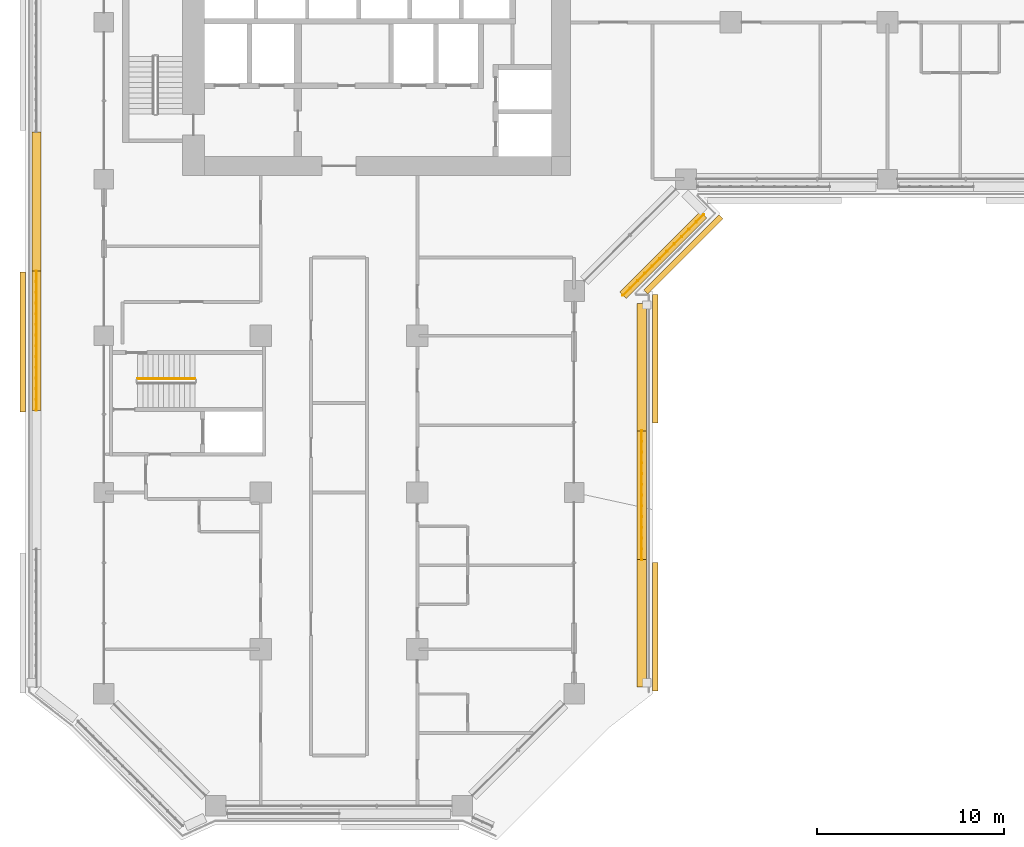
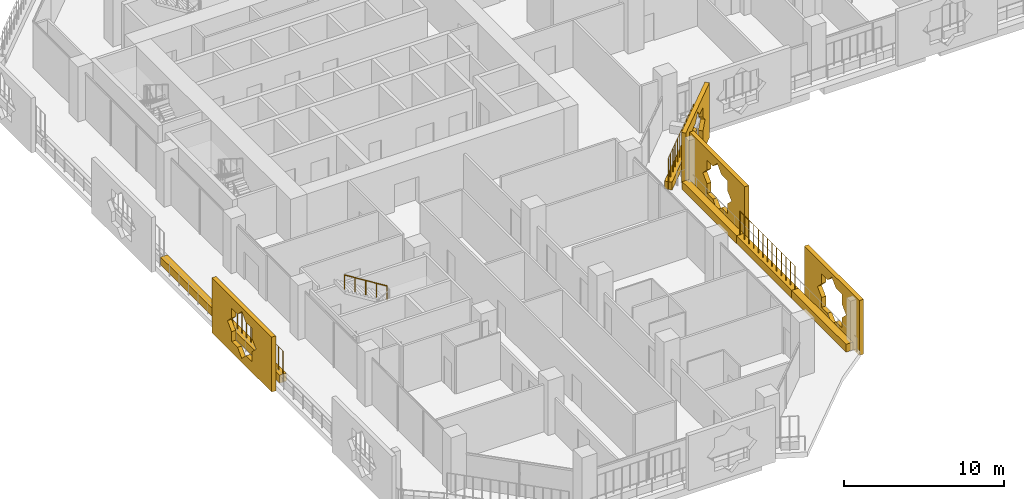
# One storey, part 20 of 25: 10 coverings, 4 railings.
"""IFC4 building model written with IfcOpenShell, lengths in metres."""

from ifc_helpers import new_model, si_unit, direction, frame, origin, origin_2d, place, context, subcontext, project, spatial, polyline, rectangle, circle, outline, extrude, material, material_profile, profile_set, type_object, element, save


model = new_model("IFC4")

# Units and contexts
model_context = context("Model", 3, precision=1e-05, world=origin(), true_north=direction((0.0, 1.0)))
body_context = subcontext(model_context, "Body", "Model", "MODEL_VIEW")
ifc_project = project(units=[si_unit("LENGTHUNIT", "METRE"), si_unit("AREAUNIT", "SQUARE_METRE"), si_unit("VOLUMEUNIT", "CUBIC_METRE"), si_unit("PLANEANGLEUNIT", "RADIAN"), si_unit("MASSUNIT", "GRAM", prefix="KILO")], contexts=[model_context])

# Site, building, storey
site_placement = place(None, origin())
site = spatial("IfcSite", under=ifc_project, at=site_placement, CompositionType="ELEMENT")
building_placement = place(site_placement, origin())
building = spatial("IfcBuilding", under=site, at=building_placement, Name="Kawkab Arch Medical Tower", CompositionType="ELEMENT")
storey_placement = place(building_placement, frame((0.0, 0.0, 145.0)))
storey = spatial("IfcBuildingStorey", under=building, at=storey_placement, Name="L33", CompositionType="ELEMENT", Elevation=145.0)

# Coverings
ifc_material_1 = material(Name="Bronze anodised aluminium mashrabiya panel, eight-point star pattern", Category="aluminium")
ifc_material_profile_1 = material_profile(ifc_material_1, outline(polyline([(-2.85009765625, -2.10009765625), (2.85009765625, -2.10009765625), (2.85009765625, 2.10009765625), (-2.85009765625, 2.10009765625), (-2.85009765625, -2.10009765625)]), holes=[polyline([(1.800048828125, 0.0), (1.272705078125, 0.527099609375), (1.272705078125, 1.272705078125), (0.527099609375, 1.272705078125), (0.0, 1.800048828125), (-0.527099609375, 1.272705078125), (-1.272705078125, 1.272705078125), (-1.272705078125, 0.527099609375), (-1.800048828125, 0.0), (-1.272705078125, -0.527099609375), (-1.272705078125, -1.272705078125), (-0.527099609375, -1.272705078125), (0.0, -1.800048828125), (0.527099609375, -1.272705078125), (1.272705078125, -1.272705078125), (1.272705078125, -0.527099609375), (1.800048828125, 0.0)])]), Name="Mashrabiya panel 5700x4200")
ifc_profile_set_1 = profile_set([ifc_material_profile_1], Name="Bronze anodised aluminium mashrabiya panel, eight-point star pattern")
covering_type_1 = type_object("IfcCoveringType", Name="Mashrabiya panel 5700 x 4200", PredefinedType="USERDEFINED", material=ifc_profile_set_1)
covering_1_placement = place(storey_placement, frame((30.94775390625, -29.128662109375, 1.699951171875), z_axis=(0.707106781187, -0.707106781187, 0.0), x_axis=(0.707106781187, 0.707106781187, 0.0)))
element("IfcCovering", 1, at=covering_1_placement, inside=storey, type_object=covering_type_1, Name="Mashrabiya panel L33.LOG-01-01.14", ObjectType="SCREEN", PredefinedType="USERDEFINED", context=body_context, shape_type="SweptSolid", body=[
    extrude(outline(polyline([(-2.85009765625, -2.10009765625), (2.85009765625, -2.10009765625), (2.85009765625, 2.10009765625), (-2.85009765625, 2.10009765625), (-2.85009765625, -2.10009765625)]), holes=[polyline([(1.800048828125, 0.0), (1.272705078125, 0.527099609375), (1.272705078125, 1.272705078125), (0.527099609375, 1.272705078125), (0.0, 1.800048828125), (-0.527099609375, 1.272705078125), (-1.272705078125, 1.272705078125), (-1.272705078125, 0.527099609375), (-1.800048828125, 0.0), (-1.272705078125, -0.527099609375), (-1.272705078125, -1.272705078125), (-0.527099609375, -1.272705078125), (0.0, -1.800048828125), (0.527099609375, -1.272705078125), (1.272705078125, -1.272705078125), (1.272705078125, -0.527099609375), (1.800048828125, 0.0)])]), origin(), (0.0, 0.0, 1.0), 0.300048828125),
])
ifc_material_2 = material(Name="Bronze anodised aluminium mashrabiya panel, eight-point star pattern", Category="aluminium")
ifc_material_profile_2 = material_profile(ifc_material_2, outline(polyline([(-3.449951171875, -2.10009765625), (3.449951171875, -2.10009765625), (3.449951171875, 2.10009765625), (-3.449951171875, 2.10009765625), (-3.449951171875, -2.10009765625)]), holes=[polyline([(1.800048828125, 0.0), (1.272705078125, 0.527099609375), (1.272705078125, 1.272705078125), (0.527099609375, 1.272705078125), (0.0, 1.800048828125), (-0.527099609375, 1.272705078125), (-1.272705078125, 1.272705078125), (-1.272705078125, 0.527099609375), (-1.800048828125, 0.0), (-1.272705078125, -0.527099609375), (-1.272705078125, -1.272705078125), (-0.527099609375, -1.272705078125), (0.0, -1.800048828125), (0.527099609375, -1.272705078125), (1.272705078125, -1.272705078125), (1.272705078125, -0.527099609375), (1.800048828125, 0.0)])]), Name="Mashrabiya panel 6900x4200")
ifc_profile_set_2 = profile_set([ifc_material_profile_2], Name="Bronze anodised aluminium mashrabiya panel, eight-point star pattern")
covering_type_2 = type_object("IfcCoveringType", Name="Mashrabiya panel 6900 x 4200", PredefinedType="USERDEFINED", material=ifc_profile_set_2)
for number, where, z_axis, x_axis, name in (
    (2, (29.39990234375, -34.827392578125, 1.699951171875), (1.0, 0.0, 0.0), (0.0, 1.0, 0.0), "Mashrabiya panel L33.LOG-01-01.15"),
    (3, (29.39990234375, -49.197509765625, 1.699951171875), (1.0, 0.0, 0.0), (0.0, 1.0, 0.0), "Mashrabiya panel L33.LOG-01-01.16"),
):
    element("IfcCovering", number, at=place(storey_placement, frame(where, z_axis=z_axis, x_axis=x_axis)), inside=storey, type_object=covering_type_2, Name=name, ObjectType="SCREEN", PredefinedType="USERDEFINED", context=body_context, shape_type="SweptSolid", body=[
        extrude(outline(polyline([(-3.449951171875, -2.10009765625), (3.449951171875, -2.10009765625), (3.449951171875, 2.10009765625), (-3.449951171875, 2.10009765625), (-3.449951171875, -2.10009765625)]), holes=[polyline([(1.800048828125, 0.0), (1.272705078125, 0.527099609375), (1.272705078125, 1.272705078125), (0.527099609375, 1.272705078125), (0.0, 1.800048828125), (-0.527099609375, 1.272705078125), (-1.272705078125, 1.272705078125), (-1.272705078125, 0.527099609375), (-1.800048828125, 0.0), (-1.272705078125, -0.527099609375), (-1.272705078125, -1.272705078125), (-0.527099609375, -1.272705078125), (0.0, -1.800048828125), (0.527099609375, -1.272705078125), (1.272705078125, -1.272705078125), (1.272705078125, -0.527099609375), (1.800048828125, 0.0)])]), origin(), (0.0, 0.0, 1.0), 0.300048828125),
    ])
ifc_material_3 = material(Name="Bronze anodised aluminium mashrabiya panel, eight-point star pattern", Category="aluminium")
ifc_material_profile_3 = material_profile(ifc_material_3, outline(polyline([(-3.75, -2.10009765625), (3.75, -2.10009765625), (3.75, 2.10009765625), (-3.75, 2.10009765625), (-3.75, -2.10009765625)]), holes=[polyline([(1.800048828125, 0.0), (1.272705078125, 0.527099609375), (1.272705078125, 1.272705078125), (0.527099609375, 1.272705078125), (0.0, 1.800048828125), (-0.527099609375, 1.272705078125), (-1.272705078125, 1.272705078125), (-1.272705078125, 0.527099609375), (-1.800048828125, 0.0), (-1.272705078125, -0.527099609375), (-1.272705078125, -1.272705078125), (-0.527099609375, -1.272705078125), (0.0, -1.800048828125), (0.527099609375, -1.272705078125), (1.272705078125, -1.272705078125), (1.272705078125, -0.527099609375), (1.800048828125, 0.0)])]), Name="Mashrabiya panel 7500x4200")
ifc_profile_set_3 = profile_set([ifc_material_profile_3], Name="Bronze anodised aluminium mashrabiya panel, eight-point star pattern")
covering_type_3 = type_object("IfcCoveringType", Name="Mashrabiya panel 7500 x 4200", PredefinedType="USERDEFINED", material=ifc_profile_set_3)
covering_2_placement = place(storey_placement, frame((-4.199951171875, -33.94140625, 1.699951171875), z_axis=(-1.0, 0.0, 0.0), x_axis=(0.0, -1.0, 0.0)))
element("IfcCovering", 4, at=covering_2_placement, inside=storey, type_object=covering_type_3, Name="Mashrabiya panel L33.LOG-01-01.3", ObjectType="SCREEN", PredefinedType="USERDEFINED", context=body_context, shape_type="SweptSolid", body=[
    extrude(outline(polyline([(-3.75, -2.10009765625), (3.75, -2.10009765625), (3.75, 2.10009765625), (-3.75, 2.10009765625), (-3.75, -2.10009765625)]), holes=[polyline([(1.800048828125, 0.0), (1.272705078125, 0.527099609375), (1.272705078125, 1.272705078125), (0.527099609375, 1.272705078125), (0.0, 1.800048828125), (-0.527099609375, 1.272705078125), (-1.272705078125, 1.272705078125), (-1.272705078125, 0.527099609375), (-1.800048828125, 0.0), (-1.272705078125, -0.527099609375), (-1.272705078125, -1.272705078125), (-0.527099609375, -1.272705078125), (0.0, -1.800048828125), (0.527099609375, -1.272705078125), (1.272705078125, -1.272705078125), (1.272705078125, -0.527099609375), (1.800048828125, 0.0)])]), origin(), (0.0, 0.0, 1.0), 0.300048828125),
])
ifc_material_4 = material(Name="Planting soil in a precast trough", Category="concrete")
ifc_material_profile_4 = material_profile(ifc_material_4, rectangle(XDim=0.5, YDim=0.60009765625, at=origin_2d()), Name="Trough 500x600")
ifc_profile_set_4 = profile_set([ifc_material_profile_4], Name="Planting soil in a precast trough")
covering_type_4 = type_object("IfcCoveringType", Name="Planter trough 500 x 600", PredefinedType="USERDEFINED", material=ifc_profile_set_4)
covering_3_placement = place(storey_placement, frame((-3.6201171875, -37.593017578125, 0.300048828125), z_axis=(0.0, 1.0, 0.0), x_axis=(-1.0, 0.0, 0.0)))
element("IfcCovering", 5, at=covering_3_placement, inside=storey, type_object=covering_type_4, Name="Planter L33.LOG-01-01.9", ObjectType="PLANTER", PredefinedType="USERDEFINED", context=body_context, shape_type="SweptSolid", body=[
    extrude(rectangle(XDim=0.5, YDim=0.60009765625, at=origin_2d()), origin(), (0.0, 0.0, 1.0), 7.4619140625),
])
covering_4_placement = place(storey_placement, frame((-3.6201171875, -30.131103515625, 0.300048828125), z_axis=(0.0, 1.0, 0.0), x_axis=(-1.0, 0.0, 0.0)))
element("IfcCovering", 6, at=covering_4_placement, inside=storey, type_object=covering_type_4, Name="Planter L33.LOG-01-01.10", ObjectType="PLANTER", PredefinedType="USERDEFINED", context=body_context, shape_type="SweptSolid", body=[
    extrude(rectangle(XDim=0.5, YDim=0.60009765625, at=origin_2d()), origin(), (0.0, 0.0, 1.0), 7.462158203125),
])
covering_5_placement = place(storey_placement, frame((32.14697265625, -27.10888671875, 0.300048828125), z_axis=(-0.707007043994, -0.707206504313, 0.0), x_axis=(0.707206504313, -0.707007043994, 0.0)))
element("IfcCovering", 7, at=covering_5_placement, inside=storey, type_object=covering_type_4, Name="Planter L33.LOG-01-01.43", ObjectType="PLANTER", PredefinedType="USERDEFINED", context=body_context, shape_type="SweptSolid", body=[
    extrude(rectangle(XDim=0.5, YDim=0.60009765625, at=origin_2d()), origin(), (0.0, 0.0, 1.0), 6.1201171875),
])
covering_6_placement = place(storey_placement, frame((28.820068359375, -31.8798828125, 0.300048828125), z_axis=(0.0, -1.0, 0.0), x_axis=(1.0, 0.0, 0.0)))
element("IfcCovering", 8, at=covering_6_placement, inside=storey, type_object=covering_type_4, Name="Planter L33.LOG-01-01.44", ObjectType="PLANTER", PredefinedType="USERDEFINED", context=body_context, shape_type="SweptSolid", body=[
    extrude(rectangle(XDim=0.5, YDim=0.60009765625, at=origin_2d()), origin(), (0.0, 0.0, 1.0), 6.81201171875),
])
covering_7_placement = place(storey_placement, frame((28.820068359375, -38.69189453125, 0.300048828125), z_axis=(0.0, -1.0, 0.0), x_axis=(1.0, 0.0, 0.0)))
element("IfcCovering", 9, at=covering_7_placement, inside=storey, type_object=covering_type_4, Name="Planter L33.LOG-01-01.45", ObjectType="PLANTER", PredefinedType="USERDEFINED", context=body_context, shape_type="SweptSolid", body=[
    extrude(rectangle(XDim=0.5, YDim=0.60009765625, at=origin_2d()), origin(), (0.0, 0.0, 1.0), 6.912109375),
])
covering_8_placement = place(storey_placement, frame((28.820068359375, -45.60400390625, 0.300048828125), z_axis=(0.0, -1.0, 0.0), x_axis=(1.0, 0.0, 0.0)))
element("IfcCovering", 10, at=covering_8_placement, inside=storey, type_object=covering_type_4, Name="Planter L33.LOG-01-01.46", ObjectType="PLANTER", PredefinedType="USERDEFINED", context=body_context, shape_type="SweptSolid", body=[
    extrude(rectangle(XDim=0.5, YDim=0.60009765625, at=origin_2d()), origin(), (0.0, 0.0, 1.0), 6.81201171875),
])

# Railings
ifc_material_5 = material(Name="Bronze anodised aluminium trellis for climbing plants", Category="aluminium")
railing_type_1 = type_object("IfcRailingType", Name="Planting trellis 2400", PredefinedType="USERDEFINED", material=ifc_material_5)
railing_1_placement = place(storey_placement, frame((-3.6201171875, -37.593017578125, 0.0)))
element("IfcRailing", 11, at=railing_1_placement, inside=storey, type_object=railing_type_1, Name="Planting trellis L33.LOG-01-01.9", ObjectType="TRELLIS", PredefinedType="USERDEFINED", context=body_context, shape_type="SweptSolid", body=[
    extrude(circle(Radius=0.01513671875, at=origin_2d()), frame((0.0, 0.0, 2.384765625), z_axis=(0.0, 1.0, 0.0), x_axis=(-1.0, 0.0, 0.0)), (0.0, 0.0, 1.0), 7.4619140625),
    extrude(circle(Radius=0.030029296875, at=origin_2d()), origin(), (0.0, 0.0, 1.0), 2.369873046875),
    extrude(circle(Radius=0.030029296875, at=origin_2d()), frame((0.0, 0.573974609375, 0.0)), (0.0, 0.0, 1.0), 2.369873046875),
    extrude(circle(Radius=0.030029296875, at=origin_2d()), frame((0.0, 1.14794921875, 0.0)), (0.0, 0.0, 1.0), 2.369873046875),
    extrude(circle(Radius=0.030029296875, at=origin_2d()), frame((0.0, 1.721923828125, 0.0)), (0.0, 0.0, 1.0), 2.369873046875),
    extrude(circle(Radius=0.030029296875, at=origin_2d()), frame((0.0, 2.2958984375, 0.0)), (0.0, 0.0, 1.0), 2.369873046875),
    extrude(circle(Radius=0.030029296875, at=origin_2d()), frame((0.0, 2.869873046875, 0.0)), (0.0, 0.0, 1.0), 2.369873046875),
    extrude(circle(Radius=0.030029296875, at=origin_2d()), frame((0.0, 3.44384765625, 0.0)), (0.0, 0.0, 1.0), 2.369873046875),
    extrude(circle(Radius=0.030029296875, at=origin_2d()), frame((0.0, 4.01806640625, 0.0)), (0.0, 0.0, 1.0), 2.369873046875),
    extrude(circle(Radius=0.030029296875, at=origin_2d()), frame((0.0, 4.592041015625, 0.0)), (0.0, 0.0, 1.0), 2.369873046875),
    extrude(circle(Radius=0.030029296875, at=origin_2d()), frame((0.0, 5.166015625, 0.0)), (0.0, 0.0, 1.0), 2.369873046875),
    extrude(circle(Radius=0.030029296875, at=origin_2d()), frame((0.0, 5.739990234375, 0.0)), (0.0, 0.0, 1.0), 2.369873046875),
    extrude(circle(Radius=0.030029296875, at=origin_2d()), frame((0.0, 6.31396484375, 0.0)), (0.0, 0.0, 1.0), 2.369873046875),
    extrude(circle(Radius=0.030029296875, at=origin_2d()), frame((0.0, 6.887939453125, 0.0)), (0.0, 0.0, 1.0), 2.369873046875),
    extrude(circle(Radius=0.030029296875, at=origin_2d()), frame((0.0, 7.4619140625, 0.0)), (0.0, 0.0, 1.0), 2.369873046875),
])
railing_2_placement = place(storey_placement, frame((32.14697265625, -27.10888671875, 0.0)))
element("IfcRailing", 12, at=railing_2_placement, inside=storey, type_object=railing_type_1, Name="Planting trellis L33.LOG-01-01.43", ObjectType="TRELLIS", PredefinedType="USERDEFINED", context=body_context, shape_type="SweptSolid", body=[
    extrude(circle(Radius=0.01513671875, at=origin_2d()), frame((0.0, 0.0, 2.384765625), z_axis=(-0.707007043994, -0.707206504313, 0.0), x_axis=(0.707206504313, -0.707007043994, 0.0)), (0.0, 0.0, 1.0), 6.1201171875),
    extrude(circle(Radius=0.030029296875, at=origin_2d()), origin(), (0.0, 0.0, 1.0), 2.369873046875),
    extrude(circle(Radius=0.030029296875, at=origin_2d()), frame((-0.393310546875, -0.3935546875, 0.0)), (0.0, 0.0, 1.0), 2.369873046875),
    extrude(circle(Radius=0.030029296875, at=origin_2d()), frame((-0.78662109375, -0.786865234375, 0.0)), (0.0, 0.0, 1.0), 2.369873046875),
    extrude(circle(Radius=0.030029296875, at=origin_2d()), frame((-1.18017578125, -1.180419921875, 0.0)), (0.0, 0.0, 1.0), 2.369873046875),
    extrude(circle(Radius=0.030029296875, at=origin_2d()), frame((-1.573486328125, -1.573974609375, 0.0)), (0.0, 0.0, 1.0), 2.369873046875),
    extrude(circle(Radius=0.030029296875, at=origin_2d()), frame((-1.966796875, -1.96728515625, 0.0)), (0.0, 0.0, 1.0), 2.369873046875),
    extrude(circle(Radius=0.030029296875, at=origin_2d()), frame((-2.360107421875, -2.36083984375, 0.0)), (0.0, 0.0, 1.0), 2.369873046875),
    extrude(circle(Radius=0.030029296875, at=origin_2d()), frame((-2.75341796875, -2.754150390625, 0.0)), (0.0, 0.0, 1.0), 2.369873046875),
    extrude(circle(Radius=0.030029296875, at=origin_2d()), frame((-3.146728515625, -3.147705078125, 0.0)), (0.0, 0.0, 1.0), 2.369873046875),
    extrude(circle(Radius=0.030029296875, at=origin_2d()), frame((-3.540283203125, -3.541259765625, 0.0)), (0.0, 0.0, 1.0), 2.369873046875),
    extrude(circle(Radius=0.030029296875, at=origin_2d()), frame((-3.93359375, -3.9345703125, 0.0)), (0.0, 0.0, 1.0), 2.369873046875),
    extrude(circle(Radius=0.030029296875, at=origin_2d()), frame((-4.326904296875, -4.328125, 0.0)), (0.0, 0.0, 1.0), 2.369873046875),
])
railing_3_placement = place(storey_placement, frame((28.820068359375, -38.69189453125, 0.0)))
element("IfcRailing", 13, at=railing_3_placement, inside=storey, type_object=railing_type_1, Name="Planting trellis L33.LOG-01-01.45", ObjectType="TRELLIS", PredefinedType="USERDEFINED", context=body_context, shape_type="SweptSolid", body=[
    extrude(circle(Radius=0.01513671875, at=origin_2d()), frame((0.0, 0.0, 2.384765625), z_axis=(0.0, -1.0, 0.0), x_axis=(1.0, 0.0, 0.0)), (0.0, 0.0, 1.0), 6.912109375),
    extrude(circle(Radius=0.030029296875, at=origin_2d()), origin(), (0.0, 0.0, 1.0), 2.369873046875),
    extrude(circle(Radius=0.030029296875, at=origin_2d()), frame((0.0, -0.575927734375, 0.0)), (0.0, 0.0, 1.0), 2.369873046875),
    extrude(circle(Radius=0.030029296875, at=origin_2d()), frame((0.0, -1.152099609375, 0.0)), (0.0, 0.0, 1.0), 2.369873046875),
    extrude(circle(Radius=0.030029296875, at=origin_2d()), frame((0.0, -1.72802734375, 0.0)), (0.0, 0.0, 1.0), 2.369873046875),
    extrude(circle(Radius=0.030029296875, at=origin_2d()), frame((0.0, -2.303955078125, 0.0)), (0.0, 0.0, 1.0), 2.369873046875),
    extrude(circle(Radius=0.030029296875, at=origin_2d()), frame((0.0, -2.880126953125, 0.0)), (0.0, 0.0, 1.0), 2.369873046875),
    extrude(circle(Radius=0.030029296875, at=origin_2d()), frame((0.0, -3.4560546875, 0.0)), (0.0, 0.0, 1.0), 2.369873046875),
    extrude(circle(Radius=0.030029296875, at=origin_2d()), frame((0.0, -4.031982421875, 0.0)), (0.0, 0.0, 1.0), 2.369873046875),
    extrude(circle(Radius=0.030029296875, at=origin_2d()), frame((0.0, -4.608154296875, 0.0)), (0.0, 0.0, 1.0), 2.369873046875),
    extrude(circle(Radius=0.030029296875, at=origin_2d()), frame((0.0, -5.18408203125, 0.0)), (0.0, 0.0, 1.0), 2.369873046875),
    extrude(circle(Radius=0.030029296875, at=origin_2d()), frame((0.0, -5.760009765625, 0.0)), (0.0, 0.0, 1.0), 2.369873046875),
    extrude(circle(Radius=0.030029296875, at=origin_2d()), frame((0.0, -6.336181640625, 0.0)), (0.0, 0.0, 1.0), 2.369873046875),
    extrude(circle(Radius=0.030029296875, at=origin_2d()), frame((0.0, -6.912109375, 0.0)), (0.0, 0.0, 1.0), 2.369873046875),
])
ifc_material_6 = material(Name="Stainless steel", Category="steel")
railing_type_2 = type_object("IfcRailingType", Name="Stair guard 1100", PredefinedType="GUARDRAIL", material=ifc_material_6)
railing_4_placement = place(storey_placement, frame((4.8798828125, -35.89990234375, 2.27490234375)))
element("IfcRailing", 14, at=railing_4_placement, inside=storey, type_object=railing_type_2, Name="L33 ST6 stair guard 3", PredefinedType="GUARDRAIL", context=body_context, shape_type="SweptSolid", body=[
    extrude(circle(Radius=0.02392578125, at=origin_2d()), frame((0.0, 0.0, 1.076171875), z_axis=(-0.847979421464, 0.0, 0.530029150871), x_axis=(0.0, -1.0, 0.0)), (0.0, 0.0, 1.0), 3.632080078125),
    extrude(circle(Radius=0.02099609375, at=origin_2d()), origin(), (0.0, 0.0, 1.0), 1.052001953125),
    extrude(circle(Radius=0.02099609375, at=origin_2d()), frame((-0.77001953125, 0.0, 0.481201171875)), (0.0, 0.0, 1.0), 1.052001953125),
    extrude(circle(Radius=0.02099609375, at=origin_2d()), frame((-1.5400390625, 0.0, 0.96240234375)), (0.0, 0.0, 1.0), 1.052001953125),
    extrude(circle(Radius=0.02099609375, at=origin_2d()), frame((-2.309814453125, 0.0, 1.44384765625)), (0.0, 0.0, 1.0), 1.052001953125),
    extrude(circle(Radius=0.02099609375, at=origin_2d()), frame((-3.079833984375, 0.0, 1.925048828125)), (0.0, 0.0, 1.0), 1.052001953125),
])

save(model, "model.ifc")
